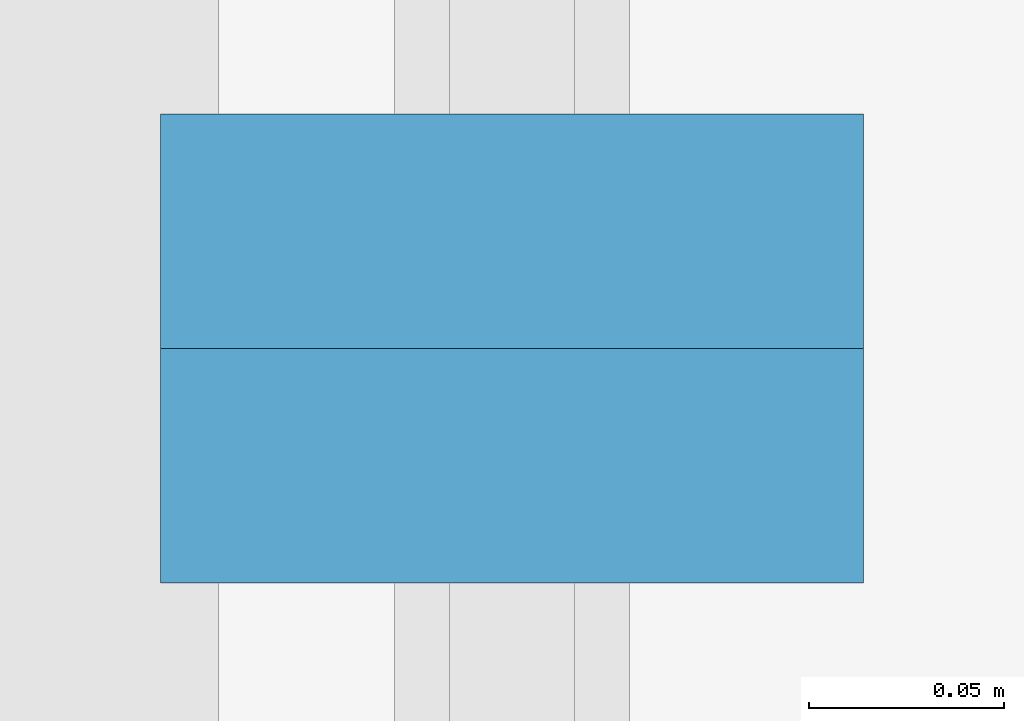
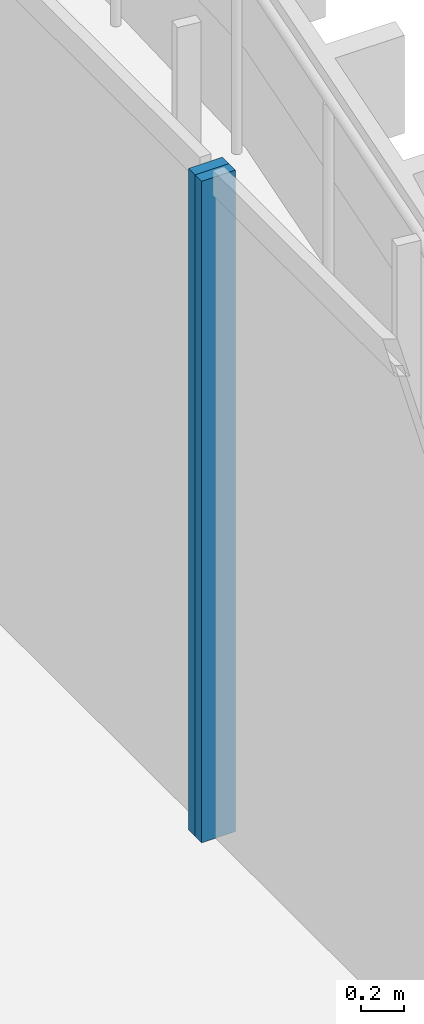
# One storey, part 8 of 27: 2 members, 2 elements without a shape of their own.
"""IFC4 building model written with IfcOpenShell, lengths in metres."""

import ifcopenshell
import ifcopenshell.guid

model = None  # the IFC model being written
_history = None  # IfcOwnerHistory: only IFC2X3 demands one
_inside = {}  # id of a spatial element -> (the spatial element, [elements in it])
_under = {}  # id of a project, library or spatial element -> (it, [spatial elements below it])
_declared = {}  # id of a project -> (the project, [libraries it declares])
_typed = {}  # id of a type object -> (the type object, [elements of that type])
_made_of = {}  # id of a material, layer set ... -> (it, [elements and type objects made of it])


def new_model(schema):
    """Start an empty IFC model of exactly this schema.

    Asked for "IFC4X3", IfcOpenShell would pick the latest addendum, in which some entities
    have other attributes; the version numbers below select the first issue.
    IFC2X3 requires an IfcOwnerHistory on every rooted entity: one is made here for all.
    """
    global model, _history
    if schema == "IFC4X3":
        model = ifcopenshell.file(schema_version=(4, 3, 0, 0))
    else:
        model = ifcopenshell.file(schema=schema)
    _inside.clear()
    _under.clear()
    _declared.clear()
    _typed.clear()
    _made_of.clear()
    _history = None
    if model.schema == "IFC2X3":
        org = make("IfcOrganization", Name="unknown")
        user = make(
            "IfcPersonAndOrganization",
            ThePerson=make("IfcPerson", FamilyName="unknown"),
            TheOrganization=org,
        )
        app = make(
            "IfcApplication",
            ApplicationDeveloper=org,
            Version="unknown",
            ApplicationFullName="unknown",
            ApplicationIdentifier="unknown",
        )
        _history = make(
            "IfcOwnerHistory",
            OwningUser=user,
            OwningApplication=app,
            ChangeAction="ADDED",
            CreationDate=0,
        )
    return model


def make(cls, **values):
    """One entity of the class cls with the attributes given. An attribute that is None is left unset."""
    return model.create_entity(
        cls, **{name: value for name, value in values.items() if value is not None}
    )


def rooted(cls, **values):
    """An entity with a GlobalId (a new one), such as an element, a storey or a relation."""
    return make(cls, GlobalId=ifcopenshell.guid.new(), OwnerHistory=_history, **values)


def si_unit(unit_type, name, prefix=None):
    """IfcSIUnit, for example si_unit("LENGTHUNIT", "METRE", prefix="MILLI")."""
    return make("IfcSIUnit", UnitType=unit_type, Prefix=prefix, Name=name)


def assignment(units):
    """IfcUnitAssignment: the units of a project."""
    return None if units is None else make("IfcUnitAssignment", Units=units)


def point(xyz):
    """IfcCartesianPoint."""
    return None if xyz is None else make("IfcCartesianPoint", Coordinates=xyz)


def direction(xyz):
    """IfcDirection."""
    return None if xyz is None else make("IfcDirection", DirectionRatios=xyz)


def frame(location, z_axis=None, x_axis=None):
    """IfcAxis2Placement3D, a coordinate frame: its origin and axes. An axis left out is left unset."""
    return make(
        "IfcAxis2Placement3D",
        Location=point(location),
        Axis=direction(z_axis),
        RefDirection=direction(x_axis),
    )


def frame_2d(location, x_axis=None):
    """IfcAxis2Placement2D, a coordinate frame in the plane: its origin and x axis."""
    return make(
        "IfcAxis2Placement2D", Location=point(location), RefDirection=direction(x_axis)
    )


def origin():
    """The frame at (0, 0, 0) with its axes left unset."""
    return frame((0.0, 0.0, 0.0))


def origin_2d():
    """The frame at (0, 0) in the plane with its x axis left unset."""
    return frame_2d((0.0, 0.0))


def place(relative_to, where):
    """IfcLocalPlacement: puts the frame where relative to a parent placement (None: the world)."""
    return make(
        "IfcLocalPlacement", PlacementRelTo=relative_to, RelativePlacement=where
    )


def context(
    kind, dimensions, precision=None, world=None, true_north=None, identifier=None
):
    """IfcGeometricRepresentationContext, for example the 3D "Model" context."""
    return make(
        "IfcGeometricRepresentationContext",
        ContextIdentifier=identifier,
        ContextType=kind,
        CoordinateSpaceDimension=dimensions,
        Precision=precision,
        WorldCoordinateSystem=world,
        TrueNorth=true_north,
    )


def subcontext(parent, identifier, kind, view, scale=None):
    """IfcGeometricRepresentationSubContext, for example "Body" below "Model"."""
    return make(
        "IfcGeometricRepresentationSubContext",
        ContextIdentifier=identifier,
        ContextType=kind,
        ParentContext=parent,
        TargetScale=scale,
        TargetView=view,
    )


def project(units=None, contexts=None):
    """IfcProject with its units and contexts."""
    return rooted(
        "IfcProject",
        Name="project",
        RepresentationContexts=contexts,
        UnitsInContext=assignment(units),
    )


def spatial(cls, under=None, at=None, **own):
    """A site, building, storey or space (cls), placed at a placement, below another one or the project."""
    s = rooted(cls, ObjectPlacement=at, **own)
    if under is not None:
        _under.setdefault(under.id(), (under, []))[1].append(s)
    return s


def profile(cls, at=None, kind="AREA", **sizes):
    """A parametric profile (cls). Its sizes go by their IFC names, for example OverallWidth=200.0."""
    return make(cls, ProfileType=kind, Position=at, **sizes)


def rectangle(**sizes):
    """IfcRectangleProfileDef."""
    return profile("IfcRectangleProfileDef", **sizes)


def extrude(swept, where, along, depth):
    """IfcExtrudedAreaSolid: the profile swept, set in the frame where, extruded along a direction by depth."""
    return make(
        "IfcExtrudedAreaSolid",
        SweptArea=swept,
        Position=where,
        ExtrudedDirection=direction(along),
        Depth=depth,
    )


def shape(context_of_items, identifier, shape_type, items):
    """IfcShapeRepresentation: the items that make up one representation, for example the "Body"."""
    return make(
        "IfcShapeRepresentation",
        ContextOfItems=context_of_items,
        RepresentationIdentifier=identifier,
        RepresentationType=shape_type,
        Items=items,
    )


def source(mapping_origin, context_of_items, identifier, shape_type, items):
    """IfcRepresentationMap: a shape defined once, which mapped items show again and again."""
    return make(
        "IfcRepresentationMap",
        MappingOrigin=mapping_origin,
        MappedRepresentation=shape(context_of_items, identifier, shape_type, items),
    )


def transform(
    local_origin,
    x_axis=None,
    y_axis=None,
    z_axis=None,
    scale=None,
    scale2=None,
    scale3=None,
    uniform=True,
):
    """IfcCartesianTransformationOperator3D, or its non-uniform kind. x_axis, y_axis, z_axis: its Axis1, 2, 3."""
    if uniform:
        return make(
            "IfcCartesianTransformationOperator3D",
            Axis1=direction(x_axis),
            Axis2=direction(y_axis),
            LocalOrigin=point(local_origin),
            Scale=scale,
            Axis3=direction(z_axis),
        )
    return make(
        "IfcCartesianTransformationOperator3DnonUniform",
        Axis1=direction(x_axis),
        Axis2=direction(y_axis),
        LocalOrigin=point(local_origin),
        Scale=scale,
        Axis3=direction(z_axis),
        Scale2=scale2,
        Scale3=scale3,
    )


def mapped(mapping_source, mapping_target):
    """IfcMappedItem: shows the shape of a source again, moved by a transform."""
    return make(
        "IfcMappedItem", MappingSource=mapping_source, MappingTarget=mapping_target
    )


def material(Name=None, Category=None):
    """IfcMaterial."""
    return make("IfcMaterial", Name=Name, Category=Category)


def material_profile(
    of_material, cross_section, Name=None, Category=None, Priority=None
):
    """IfcMaterialProfile: a cross section and its material."""
    return make(
        "IfcMaterialProfile",
        Name=Name,
        Material=of_material,
        Profile=cross_section,
        Priority=Priority,
        Category=Category,
    )


def profile_set(profiles, Name=None, composite=None):
    """IfcMaterialProfileSet."""
    return make(
        "IfcMaterialProfileSet",
        Name=Name,
        MaterialProfiles=profiles,
        CompositeProfile=composite,
    )


def made_of(thing, what):
    """Note that an element or type object is made of a material, layer set ...; save() writes the relation."""
    if what is not None:
        _made_of.setdefault(what.id(), (what, []))[1].append(thing)
    return thing


def type_object(cls, material=None, **own):
    """A type object (cls), such as IfcWallType, which elements share."""
    return made_of(rooted(cls, **own), material)


def element(
    cls,
    number,
    at=None,
    inside=None,
    cuts=None,
    type_object=None,
    material=None,
    context=None,
    identifier="Body",
    shape_type=None,
    held_by="IfcProductDefinitionShape",
    body=None,
    shapes=None,
    **own,
):
    """One element of the class cls, such as IfcWall. Its Tag is "e" and its number.

    at: its placement. inside: the storey or other place that contains it. cuts: it is an
    opening in that element (IfcRelVoidsElement). A single representation is given by context,
    identifier, shape_type and body (its items); several are given by shapes. held_by: the class
    of the entity that holds the representations. save() writes the other relations.
    """
    e = rooted(cls, Tag="e%d" % number, ObjectPlacement=at, **own)
    if body is not None:
        shapes = [shape(context, identifier, shape_type, body)]
    if shapes is not None:
        e.Representation = make(held_by, Representations=shapes)
    if inside is not None:
        _inside.setdefault(inside.id(), (inside, []))[1].append(e)
    if cuts is not None:
        rooted(
            "IfcRelVoidsElement", RelatingBuildingElement=cuts, RelatedOpeningElement=e
        )
    if type_object is not None:
        _typed.setdefault(type_object.id(), (type_object, []))[1].append(e)
    return made_of(e, material)


def aggregate(whole, parts):
    """IfcRelAggregates: a whole, such as a stair, and the parts it consists of."""
    return rooted("IfcRelAggregates", RelatingObject=whole, RelatedObjects=parts)


def save(model, path):
    """Write the relations noted so far, then the file.

    IfcRelAggregates (storeys below a building ...), IfcRelContainedInSpatialStructure (elements
    in a storey), IfcRelDefinesByType, IfcRelAssociatesMaterial and IfcRelDeclares: one each for
    every whole, place, type object, material and project.
    """
    for whole, parts in _under.values():
        aggregate(whole, parts)
    for where, things in _inside.values():
        rooted(
            "IfcRelContainedInSpatialStructure",
            RelatedElements=things,
            RelatingStructure=where,
        )
    for kind, things in _typed.values():
        rooted("IfcRelDefinesByType", RelatedObjects=things, RelatingType=kind)
    for what, things in _made_of.values():
        rooted("IfcRelAssociatesMaterial", RelatedObjects=things, RelatingMaterial=what)
    for by, libraries in _declared.values():
        rooted("IfcRelDeclares", RelatingContext=by, RelatedDefinitions=libraries)
    model.write(path)


model = new_model("IFC4")

# Units and contexts
model_context = context("Model", 3, precision=1e-05, world=origin(), true_north=direction((0.0, 1.0)))
body_context = subcontext(model_context, "Body", "Model", "MODEL_VIEW")
ifc_project = project(units=[si_unit("LENGTHUNIT", "METRE"), si_unit("AREAUNIT", "SQUARE_METRE"), si_unit("VOLUMEUNIT", "CUBIC_METRE"), si_unit("PLANEANGLEUNIT", "RADIAN"), si_unit("MASSUNIT", "GRAM", prefix="KILO")], contexts=[model_context])

# Site, building, storey
site_placement = place(None, origin())
site = spatial("IfcSite", under=ifc_project, at=site_placement, CompositionType="ELEMENT")
building_placement = place(site_placement, origin())
building = spatial("IfcBuilding", under=site, at=building_placement, Name="Kilnfold Tower and Market Hall", CompositionType="ELEMENT")
storey_placement = place(building_placement, frame((0.0, 0.0, 43.0)))
storey = spatial("IfcBuildingStorey", under=building, at=storey_placement, Name="L09", CompositionType="ELEMENT", Elevation=43.0)

# Curtain wall, member
ifc_material_1 = material(Name="Aluminium and double glazing", Category="aluminium")
curtain_wall_type = type_object("IfcCurtainWallType", Name="CW OF1 VALLEY GLAZING", PredefinedType="NOTDEFINED", material=ifc_material_1)
curtain_wall_1_placement = place(storey_placement, origin())
curtain_wall_1 = element("IfcCurtainWall", 1, at=curtain_wall_1_placement, inside=storey, type_object=curtain_wall_type, Name="Curtain wall CW1 L09 E", PredefinedType="NOTDEFINED")
ifc_material_2 = material(Name="Aluminium", Category="aluminium")
ifc_material_profile = material_profile(ifc_material_2, rectangle(XDim=0.06005859375, YDim=0.179931640625, at=origin_2d()), Name="MULLION 60x180")
ifc_profile_set = profile_set([ifc_material_profile], Name="Aluminium")
member_type = type_object("IfcMemberType", Name="MULLION 60X180", PredefinedType="MULLION", material=ifc_profile_set)
shared_shape = source(origin(), body_context, "Body", "SweptSolid", [
    extrude(rectangle(XDim=0.06005859375, YDim=0.179931640625, at=origin_2d()), origin(), (0.0, 0.0, 1.0), 3.719970703125),
])
member_1_placement = place(storey_placement, frame((27.85009765625, 3.469970703125, 0.0), z_axis=(0.0, 0.0, 1.0), x_axis=(0.0, 1.0, 0.0)))
member_1 = element("IfcMember", 2, at=member_1_placement, type_object=member_type, Name="CW1 mullion 2", PredefinedType="MULLION", context=body_context, shape_type="MappedRepresentation", body=[
    mapped(shared_shape, transform((0.0, 0.0, 0.0))),
])
aggregate(curtain_wall_1, [member_1])

curtain_wall_2_placement = place(storey_placement, origin())
curtain_wall_2 = element("IfcCurtainWall", 3, at=curtain_wall_2_placement, inside=storey, type_object=curtain_wall_type, Name="Curtain wall CW1 L09 E", PredefinedType="NOTDEFINED")
member_2_placement = place(storey_placement, frame((27.85009765625, 3.530029296875, 0.0), z_axis=(0.0, 0.0, 1.0), x_axis=(0.0, 1.0, 0.0)))
member_2 = element("IfcMember", 4, at=member_2_placement, type_object=member_type, Name="CW1 mullion 1", PredefinedType="MULLION", context=body_context, shape_type="MappedRepresentation", body=[
    mapped(shared_shape, transform((0.0, 0.0, 0.0))),
])
aggregate(curtain_wall_2, [member_2])

save(model, "model.ifc")
